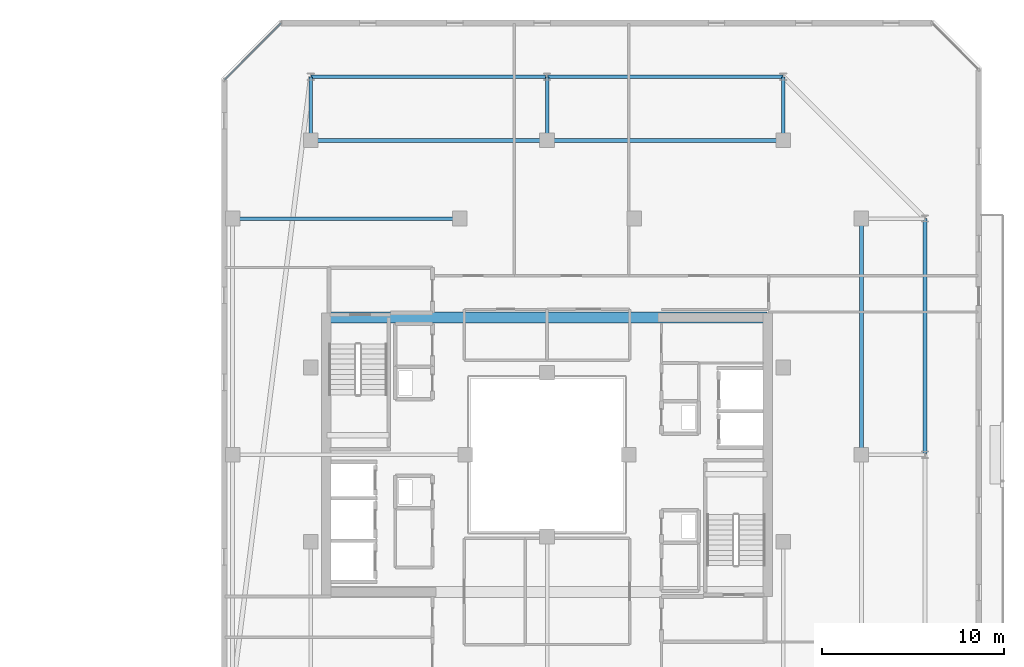
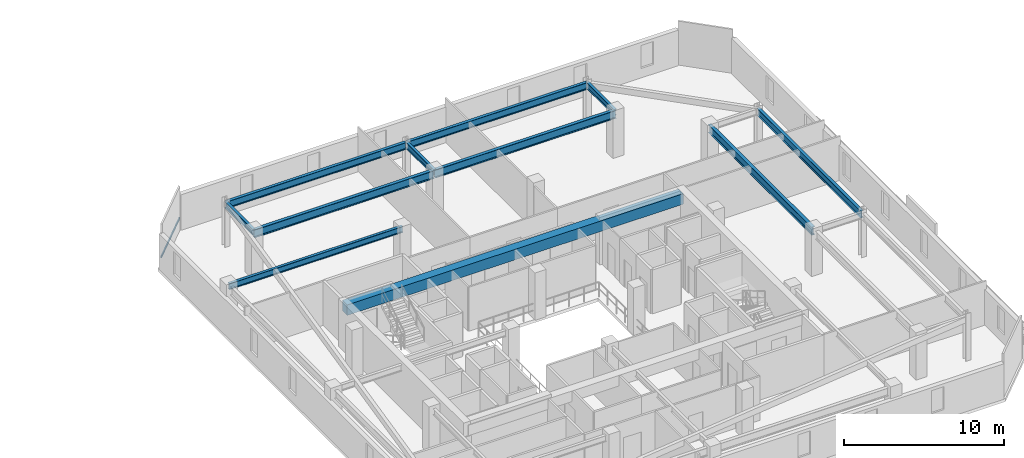
# One storey, part 17 of 35: 11 beams, 1 member, 1 element without a shape of its own.
"""IFC4 building model written with IfcOpenShell, lengths in metres."""

from ifc_helpers import new_model, si_unit, direction, frame, origin, origin_2d, place, context, subcontext, project, spatial, rectangle, hollow_rectangle, i_section, extrude, material, material_profile, profile_set, type_object, element, aggregate, save


model = new_model("IFC4")

# Units and contexts
model_context = context("Model", 3, precision=1e-05, world=origin(), true_north=direction((0.0, 1.0)))
body_context = subcontext(model_context, "Body", "Model", "MODEL_VIEW")
ifc_project = project(units=[si_unit("LENGTHUNIT", "METRE"), si_unit("AREAUNIT", "SQUARE_METRE"), si_unit("VOLUMEUNIT", "CUBIC_METRE"), si_unit("PLANEANGLEUNIT", "RADIAN"), si_unit("MASSUNIT", "GRAM", prefix="KILO")], contexts=[model_context])

# Site, building, storey
site_placement = place(None, origin())
site = spatial("IfcSite", under=ifc_project, at=site_placement, CompositionType="ELEMENT")
building_placement = place(site_placement, origin())
building = spatial("IfcBuilding", under=site, at=building_placement, Name="Thornwick Lancets Civic Towers", CompositionType="ELEMENT")
storey_placement = place(building_placement, frame((0.0, 0.0, 269.10009765625)))
storey = spatial("IfcBuildingStorey", under=building, at=storey_placement, Name="L72", CompositionType="ELEMENT", Elevation=269.10009765625)

# Beams
ifc_material_1 = material(Name="Concrete C60/75", Category="concrete")
ifc_material_profile_1 = material_profile(ifc_material_1, rectangle(XDim=0.60009765625, YDim=0.800048828125, at=origin_2d()), Name="RC 600x800")
ifc_profile_set_1 = profile_set([ifc_material_profile_1], Name="Concrete C60/75")
beam_type_1 = type_object("IfcBeamType", Name="BM_COUP_RC800", PredefinedType="BEAM", material=ifc_profile_set_1)
beam_1_placement = place(storey_placement, frame((76.39990234375, 34.550048828125, 2.9599609375), z_axis=(1.0, 0.0, 0.0), x_axis=(0.0, 1.0, 0.0)))
element("IfcBeam", 1, at=beam_1_placement, inside=storey, type_object=beam_type_1, Name="CB-L72-B1", PredefinedType="BEAM", context=body_context, shape_type="SweptSolid", body=[
    extrude(rectangle(XDim=0.60009765625, YDim=0.800048828125, at=origin_2d()), origin(), (0.0, 0.0, 1.0), 24.2001953125),
])
ifc_material_2 = material(Name="Steel S355JR", Category="steel")
ifc_material_profile_2 = material_profile(ifc_material_2, i_section(OverallWidth=0.210693359375, OverallDepth=0.53955078125, WebThickness=0.01171875, FlangeThickness=0.018798828125, FilletRadius=0.0126953125, at=origin_2d()), Name="UKB 533x210x109")
ifc_profile_set_2 = profile_set([ifc_material_profile_2], Name="Steel S355JR")
beam_type_2 = type_object("IfcBeamType", Name="BM_EDGE_533_109", PredefinedType="SPANDREL", material=ifc_profile_set_2)
beam_2_placement = place(storey_placement, frame((109.300048828125, 27.080078125, 3.090087890625), z_axis=(0.0, 1.0, 0.0), x_axis=(-1.0, 0.0, 0.0)))
element("IfcBeam", 2, at=beam_2_placement, inside=storey, type_object=beam_type_2, Name="BM-EDGE-L72-B-S0-2", PredefinedType="SPANDREL", context=body_context, shape_type="SweptSolid", body=[
    extrude(i_section(OverallWidth=0.210693359375, OverallDepth=0.53955078125, WebThickness=0.01171875, FlangeThickness=0.018798828125, FilletRadius=0.0126953125, at=origin_2d()), origin(), (0.0, 0.0, 1.0), 12.919921875),
])
beam_3_placement = place(storey_placement, frame((101.5, 47.800048828125, 3.090087890625), z_axis=(-1.0, 0.0, 0.0), x_axis=(0.0, -1.0, 0.0)))
element("IfcBeam", 3, at=beam_3_placement, inside=storey, type_object=beam_type_2, Name="BM-EDGE-L72-B-S1-1", PredefinedType="SPANDREL", context=body_context, shape_type="SweptSolid", body=[
    extrude(i_section(OverallWidth=0.210693359375, OverallDepth=0.53955078125, WebThickness=0.01171875, FlangeThickness=0.018798828125, FilletRadius=0.0126953125, at=origin_2d()), origin(), (0.0, 0.0, 1.0), 13.0),
])
beam_4_placement = place(storey_placement, frame((88.419921875, 47.800048828125, 3.090087890625), z_axis=(-1.0, 0.0, 0.0), x_axis=(0.0, -1.0, 0.0)))
element("IfcBeam", 4, at=beam_4_placement, inside=storey, type_object=beam_type_2, Name="BM-EDGE-L72-B-S1-2", PredefinedType="SPANDREL", context=body_context, shape_type="SweptSolid", body=[
    extrude(i_section(OverallWidth=0.210693359375, OverallDepth=0.53955078125, WebThickness=0.01171875, FlangeThickness=0.018798828125, FilletRadius=0.0126953125, at=origin_2d()), origin(), (0.0, 0.0, 1.0), 12.919921875),
])
ifc_material_profile_3 = material_profile(ifc_material_2, i_section(OverallWidth=0.230224609375, OverallDepth=0.6171875, WebThickness=0.01318359375, FlangeThickness=0.022216796875, FilletRadius=0.0126953125, at=origin_2d()), Name="UKB 610x229x140")
ifc_profile_set_3 = profile_set([ifc_material_profile_3], Name="Steel S355JR")
beam_type_3 = type_object("IfcBeamType", Name="BM_GIRD_610_140", PredefinedType="BEAM", material=ifc_profile_set_3)
beam_5_placement = place(storey_placement, frame((105.800048828125, 27.080078125, 3.05126953125), z_axis=(0.0, 1.0, 0.0), x_axis=(-1.0, 0.0, 0.0)))
element("IfcBeam", 5, at=beam_5_placement, inside=storey, type_object=beam_type_3, Name="BM-SPINE-L72-B-1-2", PredefinedType="BEAM", context=body_context, shape_type="SweptSolid", body=[
    extrude(i_section(OverallWidth=0.230224609375, OverallDepth=0.6171875, WebThickness=0.01318359375, FlangeThickness=0.022216796875, FilletRadius=0.0126953125, at=origin_2d()), origin(), (0.0, 0.0, 1.0), 12.919921875),
])
beam_6_placement = place(storey_placement, frame((101.5, 44.300048828125, 3.05126953125), z_axis=(-1.0, 0.0, 0.0), x_axis=(0.0, -1.0, 0.0)))
element("IfcBeam", 6, at=beam_6_placement, inside=storey, type_object=beam_type_3, Name="BM-SPINE-L72-B-3-4", PredefinedType="BEAM", context=body_context, shape_type="SweptSolid", body=[
    extrude(i_section(OverallWidth=0.230224609375, OverallDepth=0.6171875, WebThickness=0.01318359375, FlangeThickness=0.022216796875, FilletRadius=0.0126953125, at=origin_2d()), origin(), (0.0, 0.0, 1.0), 13.0),
])
beam_7_placement = place(storey_placement, frame((88.419921875, 44.300048828125, 3.05126953125), z_axis=(-1.0, 0.0, 0.0), x_axis=(0.0, -1.0, 0.0)))
element("IfcBeam", 7, at=beam_7_placement, inside=storey, type_object=beam_type_3, Name="BM-SPINE-L72-B-4-5", PredefinedType="BEAM", context=body_context, shape_type="SweptSolid", body=[
    extrude(i_section(OverallWidth=0.230224609375, OverallDepth=0.6171875, WebThickness=0.01318359375, FlangeThickness=0.022216796875, FilletRadius=0.0126953125, at=origin_2d()), origin(), (0.0, 0.0, 1.0), 12.919921875),
])
ifc_material_profile_4 = material_profile(ifc_material_2, i_section(OverallWidth=0.19287109375, OverallDepth=0.46728515625, WebThickness=0.011474609375, FlangeThickness=0.01953125, FilletRadius=0.01025390625, at=origin_2d()), Name="UKB 457x191x98")
ifc_profile_set_4 = profile_set([ifc_material_profile_4], Name="Steel S355JR")
beam_type_4 = type_object("IfcBeamType", Name="BM_JOIST_457_98", PredefinedType="JOIST", material=ifc_profile_set_4)
for number, where, z_axis, x_axis, name in (
    (8, (101.5, 44.300048828125, 3.126220703125), (0.0, 1.0, 0.0), (-1.0, 0.0, 0.0), "BM-RAD-L72-B04"),
    (9, (88.5, 44.300048828125, 3.126220703125), (0.0, 1.0, 0.0), (-1.0, 0.0, 0.0), "BM-RAD-L72-B05"),
    (10, (75.5, 44.300048828125, 3.126220703125), (0.0, 1.0, 0.0), (-1.0, 0.0, 0.0), "BM-RAD-L72-B06"),
):
    element("IfcBeam", number, at=place(storey_placement, frame(where, z_axis=z_axis, x_axis=x_axis)), inside=storey, type_object=beam_type_4, Name=name, PredefinedType="JOIST", context=body_context, shape_type="SweptSolid", body=[
        extrude(i_section(OverallWidth=0.19287109375, OverallDepth=0.46728515625, WebThickness=0.011474609375, FlangeThickness=0.01953125, FilletRadius=0.01025390625, at=origin_2d()), origin(), (0.0, 0.0, 1.0), 3.5),
    ])
beam_8_placement = place(storey_placement, frame((83.699951171875, 40.0, 3.126220703125), z_axis=(-1.0, 0.0, 0.0), x_axis=(0.0, -1.0, 0.0)))
element("IfcBeam", 11, at=beam_8_placement, inside=storey, type_object=beam_type_4, Name="BM-RADIN-L72-B09", PredefinedType="JOIST", context=body_context, shape_type="SweptSolid", body=[
    extrude(i_section(OverallWidth=0.19287109375, OverallDepth=0.46728515625, WebThickness=0.011474609375, FlangeThickness=0.01953125, FilletRadius=0.01025390625, at=origin_2d()), origin(), (0.0, 0.0, 1.0), 12.5),
])

# Curtain wall, member
ifc_material_3 = material(Name="High-zone chamfered-corner unitised glass curtain wall", Category="glass")
curtain_wall_type = type_object("IfcCurtainWallType", Name="CW_SYS_05", PredefinedType="NOTDEFINED", material=ifc_material_3)
curtain_wall_placement = place(storey_placement, origin())
curtain_wall = element("IfcCurtainWall", 12, at=curtain_wall_placement, inside=storey, type_object=curtain_wall_type, Name="L72 Curtain Wall CW-L72-B-E5", PredefinedType="NOTDEFINED")
ifc_material_4 = material(Name="Thermally broken bronze aluminium S355", Category="steel")
ifc_material_profile_5 = material_profile(ifc_material_4, hollow_rectangle(XDim=0.074951171875, YDim=0.14990234375, WallThickness=0.0048828125, at=origin_2d()), Name="RHS 150x75x5")
ifc_profile_set_5 = profile_set([ifc_material_profile_5], Name="Thermally broken bronze aluminium S355")
member_type = type_object("IfcMemberType", Name="CW_TRN_150", PredefinedType="USERDEFINED", material=ifc_profile_set_5)
member_placement = place(storey_placement, frame((73.8564453125, 50.748779296875, 0.849853515625), z_axis=(-0.707106781187, -0.707106781187, 0.0), x_axis=(0.707106781187, -0.707106781187, 0.0)))
member = element("IfcMember", 13, at=member_placement, type_object=member_type, Name="CW-L72-B-E5 Transom 0", ObjectType="TRANSOM", PredefinedType="USERDEFINED", context=body_context, shape_type="SweptSolid", body=[
    extrude(hollow_rectangle(XDim=0.074951171875, YDim=0.14990234375, WallThickness=0.0048828125, at=origin_2d()), origin(), (0.0, 0.0, 1.0), 4.391357421875),
])
aggregate(curtain_wall, [member])

save(model, "model.ifc")
